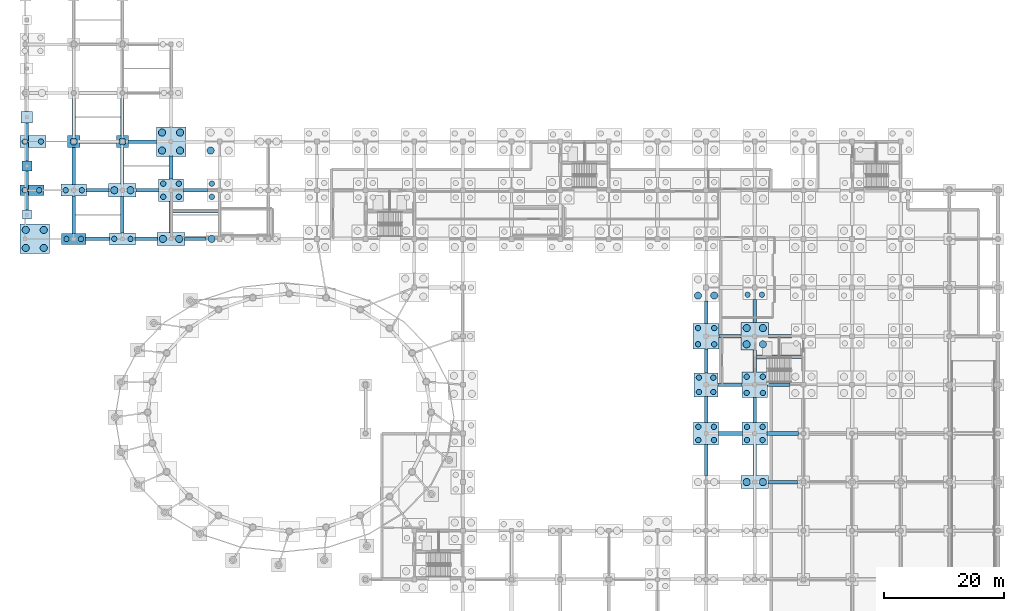
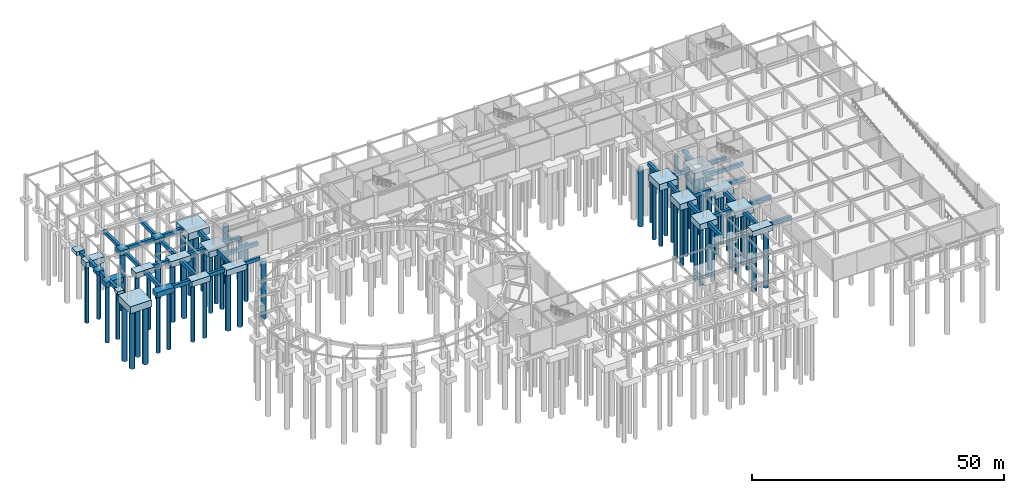
# One storey, part 3 of 26: 62 piles, 57 footings.
"""IFC4 building model written with IfcOpenShell, lengths in metres."""

from ifc_helpers import new_model, si_unit, direction, frame, origin, origin_2d, place, context, subcontext, project, spatial, rectangle, circle, extrude, material, material_profile, profile_set, type_object, element, save


model = new_model("IFC4")

# Units and contexts
model_context = context("Model", 3, precision=1e-05, world=origin(), true_north=direction((0.0, 1.0)))
body_context = subcontext(model_context, "Body", "Model", "MODEL_VIEW")
ifc_project = project(units=[si_unit("LENGTHUNIT", "METRE"), si_unit("AREAUNIT", "SQUARE_METRE"), si_unit("VOLUMEUNIT", "CUBIC_METRE"), si_unit("PLANEANGLEUNIT", "RADIAN"), si_unit("MASSUNIT", "GRAM", prefix="KILO")], contexts=[model_context])

# Site, building, storey
site_placement = place(None, origin())
site = spatial("IfcSite", under=ifc_project, at=site_placement, CompositionType="ELEMENT")
building_placement = place(site_placement, origin())
building = spatial("IfcBuilding", under=site, at=building_placement, Name="Parian Resonance Hall", CompositionType="ELEMENT")
storey_placement = place(building_placement, frame((0.0, 0.0, -5.39990234375)))
storey = spatial("IfcBuildingStorey", under=building, at=storey_placement, Name="B1", CompositionType="ELEMENT", Elevation=-5.39990234375)

# Footings
ifc_material_1 = material(Name="Concrete C35/45", Category="concrete")
ifc_material_profile_1 = material_profile(ifc_material_1, rectangle(XDim=0.60009765625, YDim=0.89990234375, at=origin_2d()), Name="RC-GB-600x900")
ifc_profile_set_1 = profile_set([ifc_material_profile_1], Name="Concrete C35/45")
footing_type_1 = type_object("IfcFootingType", Name="GB-600x900", PredefinedType="FOOTING_BEAM", material=ifc_profile_set_1)
footing_1_placement = place(storey_placement, frame((0.300048828125, 77.659912109375, -0.85009765625), z_axis=(0.0, 1.0, 0.0), x_axis=(-1.0, 0.0, 0.0)))
element("IfcFooting", 1, at=footing_1_placement, inside=storey, type_object=footing_type_1, Name="Foundation tie beam B1-001", PredefinedType="FOOTING_BEAM", context=body_context, shape_type="SweptSolid", body=[
    extrude(rectangle(XDim=0.60009765625, YDim=0.89990234375, at=origin_2d()), origin(), (0.0, 0.0, 1.0), 6.580078125),
])
footing_2_placement = place(storey_placement, frame((0.300048828125, 85.860107421875, -0.85009765625), z_axis=(0.0, 1.0, 0.0), x_axis=(-1.0, 0.0, 0.0)))
element("IfcFooting", 2, at=footing_2_placement, inside=storey, type_object=footing_type_1, Name="Foundation tie beam B1-002", PredefinedType="FOOTING_BEAM", context=body_context, shape_type="SweptSolid", body=[
    extrude(rectangle(XDim=0.60009765625, YDim=0.89990234375, at=origin_2d()), origin(), (0.0, 0.0, 1.0), 6.3798828125),
])
footing_3_placement = place(storey_placement, frame((10.06005859375, 72.89990234375, -0.85009765625), z_axis=(1.0, 0.0, 0.0), x_axis=(0.0, 1.0, 0.0)))
element("IfcFooting", 3, at=footing_3_placement, inside=storey, type_object=footing_type_1, Name="Foundation tie beam B1-005", PredefinedType="FOOTING_BEAM", context=body_context, shape_type="SweptSolid", body=[
    extrude(rectangle(XDim=0.60009765625, YDim=0.89990234375, at=origin_2d()), origin(), (0.0, 0.0, 1.0), 4.030029296875),
])
footing_4_placement = place(storey_placement, frame((8.10009765625, 73.760009765625, -0.85009765625), z_axis=(0.0, 1.0, 0.0), x_axis=(-1.0, 0.0, 0.0)))
element("IfcFooting", 4, at=footing_4_placement, inside=storey, type_object=footing_type_1, Name="Foundation tie beam B1-006", PredefinedType="FOOTING_BEAM", context=body_context, shape_type="SweptSolid", body=[
    extrude(rectangle(XDim=0.60009765625, YDim=0.89990234375, at=origin_2d()), origin(), (0.0, 0.0, 1.0), 6.280029296875),
])
footing_5_placement = place(storey_placement, frame((10.2099609375, 81.0, -0.85009765625), z_axis=(1.0, 0.0, 0.0), x_axis=(0.0, 1.0, 0.0)))
element("IfcFooting", 5, at=footing_5_placement, inside=storey, type_object=footing_type_1, Name="Foundation tie beam B1-007", PredefinedType="FOOTING_BEAM", context=body_context, shape_type="SweptSolid", body=[
    extrude(rectangle(XDim=0.60009765625, YDim=0.89990234375, at=origin_2d()), origin(), (0.0, 0.0, 1.0), 3.72998046875),
])
for number, where, z_axis, x_axis, name in (
    (6, (8.10009765625, 81.9599609375, -0.85009765625), (0.0, 1.0, 0.0), (-1.0, 0.0, 0.0), "Foundation tie beam B1-008"),
    (7, (9.06005859375, 89.10009765625, -0.85009765625), (1.0, 0.0, 0.0), (0.0, 1.0, 0.0), "Foundation tie beam B1-009"),
):
    element("IfcFooting", number, at=place(storey_placement, frame(where, z_axis=z_axis, x_axis=x_axis)), inside=storey, type_object=footing_type_1, Name=name, PredefinedType="FOOTING_BEAM", context=body_context, shape_type="SweptSolid", body=[
        extrude(rectangle(XDim=0.60009765625, YDim=0.89990234375, at=origin_2d()), origin(), (0.0, 0.0, 1.0), 6.179931640625),
    ])
footing_6_placement = place(storey_placement, frame((8.10009765625, 90.06005859375, -0.85009765625), z_axis=(0.0, 1.0, 0.0), x_axis=(-1.0, 0.0, 0.0)))
element("IfcFooting", 8, at=footing_6_placement, inside=storey, type_object=footing_type_1, Name="Foundation tie beam B1-010", PredefinedType="FOOTING_BEAM", context=body_context, shape_type="SweptSolid", body=[
    extrude(rectangle(XDim=0.60009765625, YDim=0.89990234375, at=origin_2d()), origin(), (0.0, 0.0, 1.0), 6.280029296875),
])
footing_7_placement = place(storey_placement, frame((18.31005859375, 72.89990234375, -0.85009765625), z_axis=(1.0, 0.0, 0.0), x_axis=(0.0, 1.0, 0.0)))
element("IfcFooting", 9, at=footing_7_placement, inside=storey, type_object=footing_type_1, Name="Foundation tie beam B1-016", PredefinedType="FOOTING_BEAM", context=body_context, shape_type="SweptSolid", body=[
    extrude(rectangle(XDim=0.60009765625, YDim=0.89990234375, at=origin_2d()), origin(), (0.0, 0.0, 1.0), 3.72998046875),
])
footing_8_placement = place(storey_placement, frame((16.199951171875, 73.860107421875, -0.85009765625), z_axis=(0.0, 1.0, 0.0), x_axis=(-1.0, 0.0, 0.0)))
element("IfcFooting", 10, at=footing_8_placement, inside=storey, type_object=footing_type_1, Name="Foundation tie beam B1-017", PredefinedType="FOOTING_BEAM", context=body_context, shape_type="SweptSolid", body=[
    extrude(rectangle(XDim=0.60009765625, YDim=0.89990234375, at=origin_2d()), origin(), (0.0, 0.0, 1.0), 6.079833984375),
])
footing_9_placement = place(storey_placement, frame((18.4599609375, 81.0, -0.85009765625), z_axis=(1.0, 0.0, 0.0), x_axis=(0.0, 1.0, 0.0)))
element("IfcFooting", 11, at=footing_9_placement, inside=storey, type_object=footing_type_1, Name="Foundation tie beam B1-018", PredefinedType="FOOTING_BEAM", context=body_context, shape_type="SweptSolid", body=[
    extrude(rectangle(XDim=0.60009765625, YDim=0.89990234375, at=origin_2d()), origin(), (0.0, 0.0, 1.0), 3.780029296875),
])
footing_10_placement = place(storey_placement, frame((16.199951171875, 82.06005859375, -0.85009765625), z_axis=(0.0, 1.0, 0.0), x_axis=(-1.0, 0.0, 0.0)))
element("IfcFooting", 12, at=footing_10_placement, inside=storey, type_object=footing_type_1, Name="Foundation tie beam B1-019", PredefinedType="FOOTING_BEAM", context=body_context, shape_type="SweptSolid", body=[
    extrude(rectangle(XDim=0.60009765625, YDim=0.89990234375, at=origin_2d()), origin(), (0.0, 0.0, 1.0), 6.079833984375),
])
footing_11_placement = place(storey_placement, frame((17.159912109375, 89.10009765625, -0.85009765625), z_axis=(1.0, 0.0, 0.0), x_axis=(0.0, 1.0, 0.0)))
element("IfcFooting", 13, at=footing_11_placement, inside=storey, type_object=footing_type_1, Name="Foundation tie beam B1-020", PredefinedType="FOOTING_BEAM", context=body_context, shape_type="SweptSolid", body=[
    extrude(rectangle(XDim=0.60009765625, YDim=0.89990234375, at=origin_2d()), origin(), (0.0, 0.0, 1.0), 4.72998046875),
])
footing_12_placement = place(storey_placement, frame((16.199951171875, 90.06005859375, -0.85009765625), z_axis=(0.0, 1.0, 0.0), x_axis=(-1.0, 0.0, 0.0)))
element("IfcFooting", 14, at=footing_12_placement, inside=storey, type_object=footing_type_1, Name="Foundation tie beam B1-021", PredefinedType="FOOTING_BEAM", context=body_context, shape_type="SweptSolid", body=[
    extrude(rectangle(XDim=0.60009765625, YDim=0.89990234375, at=origin_2d()), origin(), (0.0, 0.0, 1.0), 6.280029296875),
])
footing_13_placement = place(storey_placement, frame((26.56005859375, 72.89990234375, -0.85009765625), z_axis=(1.0, 0.0, 0.0), x_axis=(0.0, 1.0, 0.0)))
element("IfcFooting", 15, at=footing_13_placement, inside=storey, type_object=footing_type_1, Name="Foundation tie beam B1-026", PredefinedType="FOOTING_BEAM", context=body_context, shape_type="SweptSolid", body=[
    extrude(rectangle(XDim=0.60009765625, YDim=0.89990234375, at=origin_2d()), origin(), (0.0, 0.0, 1.0), 3.579833984375),
])
footing_14_placement = place(storey_placement, frame((24.300048828125, 73.9599609375, -0.85009765625), z_axis=(0.0, 1.0, 0.0), x_axis=(-1.0, 0.0, 0.0)))
element("IfcFooting", 16, at=footing_14_placement, inside=storey, type_object=footing_type_1, Name="Foundation tie beam B1-027", PredefinedType="FOOTING_BEAM", context=body_context, shape_type="SweptSolid", body=[
    extrude(rectangle(XDim=0.60009765625, YDim=0.89990234375, at=origin_2d()), origin(), (0.0, 0.0, 1.0), 5.179931640625),
])
footing_15_placement = place(storey_placement, frame((26.360107421875, 81.0, -0.85009765625), z_axis=(1.0, 0.0, 0.0), x_axis=(0.0, 1.0, 0.0)))
element("IfcFooting", 17, at=footing_15_placement, inside=storey, type_object=footing_type_1, Name="Foundation tie beam B1-028", PredefinedType="FOOTING_BEAM", context=body_context, shape_type="SweptSolid", body=[
    extrude(rectangle(XDim=0.60009765625, YDim=0.89990234375, at=origin_2d()), origin(), (0.0, 0.0, 1.0), 3.97998046875),
])
footing_16_placement = place(storey_placement, frame((24.300048828125, 82.860107421875, -0.85009765625), z_axis=(0.0, 1.0, 0.0), x_axis=(-1.0, 0.0, 0.0)))
element("IfcFooting", 18, at=footing_16_placement, inside=storey, type_object=footing_type_1, Name="Foundation tie beam B1-029", PredefinedType="FOOTING_BEAM", context=body_context, shape_type="SweptSolid", body=[
    extrude(rectangle(XDim=0.60009765625, YDim=0.89990234375, at=origin_2d()), origin(), (0.0, 0.0, 1.0), 3.829833984375),
])
footing_17_placement = place(storey_placement, frame((113.39990234375, 33.4599609375, -0.85009765625), z_axis=(0.0, 1.0, 0.0), x_axis=(-1.0, 0.0, 0.0)))
element("IfcFooting", 19, at=footing_17_placement, inside=storey, type_object=footing_type_1, Name="Foundation tie beam B1-131", PredefinedType="FOOTING_BEAM", context=body_context, shape_type="SweptSolid", body=[
    extrude(rectangle(XDim=0.60009765625, YDim=0.89990234375, at=origin_2d()), origin(), (0.0, 0.0, 1.0), 5.179931640625),
])
footing_18_placement = place(storey_placement, frame((115.4599609375, 40.5, -0.85009765625), z_axis=(1.0, 0.0, 0.0), x_axis=(0.0, 1.0, 0.0)))
element("IfcFooting", 20, at=footing_18_placement, inside=storey, type_object=footing_type_1, Name="Foundation tie beam B1-132", PredefinedType="FOOTING_BEAM", context=body_context, shape_type="SweptSolid", body=[
    extrude(rectangle(XDim=0.60009765625, YDim=0.89990234375, at=origin_2d()), origin(), (0.0, 0.0, 1.0), 3.97998046875),
])
footing_19_placement = place(storey_placement, frame((113.39990234375, 42.360107421875, -0.85009765625), z_axis=(0.0, 1.0, 0.0), x_axis=(-1.0, 0.0, 0.0)))
element("IfcFooting", 21, at=footing_19_placement, inside=storey, type_object=footing_type_1, Name="Foundation tie beam B1-133", PredefinedType="FOOTING_BEAM", context=body_context, shape_type="SweptSolid", body=[
    extrude(rectangle(XDim=0.60009765625, YDim=0.89990234375, at=origin_2d()), origin(), (0.0, 0.0, 1.0), 4.27978515625),
])
footing_20_placement = place(storey_placement, frame((115.360107421875, 48.60009765625, -0.85009765625), z_axis=(1.0, 0.0, 0.0), x_axis=(0.0, 1.0, 0.0)))
element("IfcFooting", 22, at=footing_20_placement, inside=storey, type_object=footing_type_1, Name="Foundation tie beam B1-134", PredefinedType="FOOTING_BEAM", context=body_context, shape_type="SweptSolid", body=[
    extrude(rectangle(XDim=0.60009765625, YDim=0.89990234375, at=origin_2d()), origin(), (0.0, 0.0, 1.0), 4.02978515625),
])
footing_21_placement = place(storey_placement, frame((113.39990234375, 50.56005859375, -0.85009765625), z_axis=(0.0, 1.0, 0.0), x_axis=(-1.0, 0.0, 0.0)))
element("IfcFooting", 23, at=footing_21_placement, inside=storey, type_object=footing_type_1, Name="Foundation tie beam B1-135", PredefinedType="FOOTING_BEAM", context=body_context, shape_type="SweptSolid", body=[
    extrude(rectangle(XDim=0.60009765625, YDim=0.89990234375, at=origin_2d()), origin(), (0.0, 0.0, 1.0), 4.030029296875),
])
for number, where, z_axis, x_axis, name in (
    (24, (115.510009765625, 56.699951171875, -0.85009765625), (1.0, 0.0, 0.0), (0.0, 1.0, 0.0), "Foundation tie beam B1-136"),
    (25, (113.39990234375, 58.81005859375, -0.85009765625), (0.0, 1.0, 0.0), (-1.0, 0.0, 0.0), "Foundation tie beam B1-137"),
):
    element("IfcFooting", number, at=place(storey_placement, frame(where, z_axis=z_axis, x_axis=x_axis)), inside=storey, type_object=footing_type_1, Name=name, PredefinedType="FOOTING_BEAM", context=body_context, shape_type="SweptSolid", body=[
        extrude(rectangle(XDim=0.60009765625, YDim=0.89990234375, at=origin_2d()), origin(), (0.0, 0.0, 1.0), 3.72998046875),
    ])
footing_22_placement = place(storey_placement, frame((123.760009765625, 32.39990234375, -0.85009765625), z_axis=(1.0, 0.0, 0.0), x_axis=(0.0, 1.0, 0.0)))
element("IfcFooting", 26, at=footing_22_placement, inside=storey, type_object=footing_type_1, Name="Foundation tie beam B1-149", PredefinedType="FOOTING_BEAM", context=body_context, shape_type="SweptSolid", body=[
    extrude(rectangle(XDim=0.60009765625, YDim=0.89990234375, at=origin_2d()), origin(), (0.0, 0.0, 1.0), 4.8798828125),
])
for number, where, z_axis, x_axis, name in (
    (27, (121.5, 33.4599609375, -0.85009765625), (0.0, 1.0, 0.0), (-1.0, 0.0, 0.0), "Foundation tie beam B1-150"),
    (28, (123.56005859375, 40.5, -0.85009765625), (1.0, 0.0, 0.0), (0.0, 1.0, 0.0), "Foundation tie beam B1-151"),
):
    element("IfcFooting", number, at=place(storey_placement, frame(where, z_axis=z_axis, x_axis=x_axis)), inside=storey, type_object=footing_type_1, Name=name, PredefinedType="FOOTING_BEAM", context=body_context, shape_type="SweptSolid", body=[
        extrude(rectangle(XDim=0.60009765625, YDim=0.89990234375, at=origin_2d()), origin(), (0.0, 0.0, 1.0), 5.179931640625),
    ])
footing_23_placement = place(storey_placement, frame((121.5, 42.360107421875, -0.85009765625), z_axis=(0.0, 1.0, 0.0), x_axis=(-1.0, 0.0, 0.0)))
element("IfcFooting", 29, at=footing_23_placement, inside=storey, type_object=footing_type_1, Name="Foundation tie beam B1-152", PredefinedType="FOOTING_BEAM", context=body_context, shape_type="SweptSolid", body=[
    extrude(rectangle(XDim=0.60009765625, YDim=0.89990234375, at=origin_2d()), origin(), (0.0, 0.0, 1.0), 4.1298828125),
])
for number, where, z_axis, x_axis, name in (
    (30, (123.610107421875, 48.60009765625, -0.85009765625), (1.0, 0.0, 0.0), (0.0, 1.0, 0.0), "Foundation tie beam B1-153"),
    (31, (121.5, 50.7099609375, -0.85009765625), (0.0, 1.0, 0.0), (-1.0, 0.0, 0.0), "Foundation tie beam B1-154"),
):
    element("IfcFooting", number, at=place(storey_placement, frame(where, z_axis=z_axis, x_axis=x_axis)), inside=storey, type_object=footing_type_1, Name=name, PredefinedType="FOOTING_BEAM", context=body_context, shape_type="SweptSolid", body=[
        extrude(rectangle(XDim=0.60009765625, YDim=0.89990234375, at=origin_2d()), origin(), (0.0, 0.0, 1.0), 3.72998046875),
    ])
footing_24_placement = place(storey_placement, frame((123.760009765625, 56.699951171875, -0.85009765625), z_axis=(1.0, 0.0, 0.0), x_axis=(0.0, 1.0, 0.0)))
element("IfcFooting", 32, at=footing_24_placement, inside=storey, type_object=footing_type_1, Name="Foundation tie beam B1-155", PredefinedType="FOOTING_BEAM", context=body_context, shape_type="SweptSolid", body=[
    extrude(rectangle(XDim=0.60009765625, YDim=0.89990234375, at=origin_2d()), origin(), (0.0, 0.0, 1.0), 3.8798828125),
])
footing_25_placement = place(storey_placement, frame((121.5, 58.9599609375, -0.85009765625), z_axis=(0.0, 1.0, 0.0), x_axis=(-1.0, 0.0, 0.0)))
element("IfcFooting", 33, at=footing_25_placement, inside=storey, type_object=footing_type_1, Name="Foundation tie beam B1-156", PredefinedType="FOOTING_BEAM", context=body_context, shape_type="SweptSolid", body=[
    extrude(rectangle(XDim=0.60009765625, YDim=0.89990234375, at=origin_2d()), origin(), (0.0, 0.0, 1.0), 3.880126953125),
])
footing_26_placement = place(storey_placement, frame((121.5, 53.25, -0.85009765625), z_axis=(1.0, 0.0, 0.0), x_axis=(0.0, 1.0, 0.0)))
element("IfcFooting", 34, at=footing_26_placement, inside=storey, type_object=footing_type_1, Name="Core K2 divider foundation beam", PredefinedType="FOOTING_BEAM", context=body_context, shape_type="SweptSolid", body=[
    extrude(rectangle(XDim=0.60009765625, YDim=0.89990234375, at=origin_2d()), origin(), (0.0, 0.0, 1.0), 8.10009765625),
])
footing_27_placement = place(storey_placement, frame((24.300048828125, 77.510009765625, -0.85009765625), z_axis=(1.0, 0.0, 0.0), x_axis=(0.0, 1.0, 0.0)))
element("IfcFooting", 35, at=footing_27_placement, inside=storey, type_object=footing_type_1, Name="Core K4 divider foundation beam", PredefinedType="FOOTING_BEAM", context=body_context, shape_type="SweptSolid", body=[
    extrude(rectangle(XDim=0.60009765625, YDim=0.89990234375, at=origin_2d()), origin(), (0.0, 0.0, 1.0), 8.099853515625),
])
ifc_material_2 = material(Name="Concrete C35/45", Category="concrete")
footing_type_2 = type_object("IfcFootingType", Name="PAD-1500", PredefinedType="PAD_FOOTING", material=ifc_material_2)
footing_28_placement = place(storey_placement, frame((0.300048828125, 76.949951171875, -1.150146484375), z_axis=(0.0, 0.0, 1.0), x_axis=(1.0, 0.0, 0.0)))
element("IfcFooting", 36, at=footing_28_placement, inside=storey, type_object=footing_type_2, Name="Arcade pad footing PIL-W-09", PredefinedType="PAD_FOOTING", context=body_context, shape_type="SweptSolid", body=[
    extrude(rectangle(XDim=1.5, YDim=1.5, at=origin_2d()), origin(), (0.0, 0.0, 1.0), 0.75),
])
ifc_material_3 = material(Name="Concrete C35/45", Category="concrete")
footing_type_3 = type_object("IfcFootingType", Name="PAD-1700", PredefinedType="PAD_FOOTING", material=ifc_material_3)
footing_29_placement = place(storey_placement, frame((0.300048828125, 85.050048828125, -1.250244140625), z_axis=(0.0, 0.0, 1.0), x_axis=(1.0, 0.0, 0.0)))
element("IfcFooting", 37, at=footing_29_placement, inside=storey, type_object=footing_type_3, Name="Arcade pad footing PIL-W-10", PredefinedType="PAD_FOOTING", context=body_context, shape_type="SweptSolid", body=[
    extrude(rectangle(XDim=1.699951171875, YDim=1.699951171875, at=origin_2d()), origin(), (0.0, 0.0, 1.0), 0.85009765625),
])
ifc_material_4 = material(Name="Concrete C35/45", Category="concrete")
footing_type_4 = type_object("IfcFootingType", Name="PAD-1900", PredefinedType="PAD_FOOTING", material=ifc_material_4)
footing_30_placement = place(storey_placement, frame((0.300048828125, 93.14990234375, -1.300048828125), z_axis=(0.0, 0.0, 1.0), x_axis=(1.0, 0.0, 0.0)))
element("IfcFooting", 38, at=footing_30_placement, inside=storey, type_object=footing_type_4, Name="Arcade pad footing PIL-W-11", PredefinedType="PAD_FOOTING", context=body_context, shape_type="SweptSolid", body=[
    extrude(rectangle(XDim=1.89990234375, YDim=1.89990234375, at=origin_2d()), origin(), (0.0, 0.0, 1.0), 0.89990234375),
])
ifc_material_5 = material(Name="Concrete C35/45", Category="concrete")
footing_type_5 = type_object("IfcFootingType", Name="PC-1P-2000", PredefinedType="PILE_CAP", material=ifc_material_5)
for number, where, z_axis, x_axis, name in (
    (39, (8.10009765625, 89.10009765625, -1.60009765625), (0.0, 0.0, 1.0), (1.0, 0.0, 0.0), "Pile cap G02-12"),
    (40, (16.199951171875, 89.10009765625, -1.60009765625), (0.0, 0.0, 1.0), (1.0, 0.0, 0.0), "Pile cap G03-12"),
):
    element("IfcFooting", number, at=place(storey_placement, frame(where, z_axis=z_axis, x_axis=x_axis)), inside=storey, type_object=footing_type_5, Name=name, PredefinedType="PILE_CAP", context=body_context, shape_type="SweptSolid", body=[
        extrude(rectangle(XDim=2.0, YDim=2.0, at=origin_2d()), origin(), (0.0, 0.0, 1.0), 1.199951171875),
    ])
ifc_material_6 = material(Name="Concrete C35/45", Category="concrete")
footing_type_6 = type_object("IfcFootingType", Name="PC-2P-4000x1800", PredefinedType="PILE_CAP", material=ifc_material_6)
for number, where, z_axis, x_axis, name in (
    (41, (1.14990234375, 81.0, -1.650146484375), (0.0, 0.0, 1.0), (1.0, 0.0, 0.0), "Pile cap G01-11"),
    (42, (8.10009765625, 72.89990234375, -1.650146484375), (0.0, 0.0, 1.0), (1.0, 0.0, 0.0), "Pile cap G02-10"),
):
    element("IfcFooting", number, at=place(storey_placement, frame(where, z_axis=z_axis, x_axis=x_axis)), inside=storey, type_object=footing_type_6, Name=name, PredefinedType="PILE_CAP", context=body_context, shape_type="SweptSolid", body=[
        extrude(rectangle(XDim=4.0, YDim=1.800048828125, at=origin_2d()), origin(), (0.0, 0.0, 1.0), 1.25),
    ])
ifc_material_7 = material(Name="Concrete C35/45", Category="concrete")
footing_type_7 = type_object("IfcFootingType", Name="PC-2P-4300x2000", PredefinedType="PILE_CAP", material=ifc_material_7)
for number, where, z_axis, x_axis, name in (
    (43, (1.300048828125, 89.10009765625, -1.750244140625), (0.0, 0.0, 1.0), (1.0, 0.0, 0.0), "Pile cap G01-12"),
    (44, (8.10009765625, 81.0, -1.750244140625), (0.0, 0.0, 1.0), (1.0, 0.0, 0.0), "Pile cap G02-11"),
    (45, (16.199951171875, 72.89990234375, -1.750244140625), (0.0, 0.0, 1.0), (1.0, 0.0, 0.0), "Pile cap G03-10"),
):
    element("IfcFooting", number, at=place(storey_placement, frame(where, z_axis=z_axis, x_axis=x_axis)), inside=storey, type_object=footing_type_7, Name=name, PredefinedType="PILE_CAP", context=body_context, shape_type="SweptSolid", body=[
        extrude(rectangle(XDim=4.300048828125, YDim=2.0, at=origin_2d()), origin(), (0.0, 0.0, 1.0), 1.35009765625),
    ])
ifc_material_8 = material(Name="Concrete C35/45", Category="concrete")
footing_type_8 = type_object("IfcFootingType", Name="PC-2P-4600x2200", PredefinedType="PILE_CAP", material=ifc_material_8)
for number, where, z_axis, x_axis, name in (
    (46, (16.199951171875, 81.0, -1.800048828125), (0.0, 0.0, 1.0), (1.0, 0.0, 0.0), "Pile cap G03-11"),
    (47, (24.300048828125, 72.89990234375, -1.800048828125), (0.0, 0.0, 1.0), (1.0, 0.0, 0.0), "Pile cap G04-10"),
    (48, (121.5, 32.39990234375, -1.800048828125), (0.0, 0.0, 1.0), (1.0, 0.0, 0.0), "Pile cap G16-05"),
):
    element("IfcFooting", number, at=place(storey_placement, frame(where, z_axis=z_axis, x_axis=x_axis)), inside=storey, type_object=footing_type_8, Name=name, PredefinedType="PILE_CAP", context=body_context, shape_type="SweptSolid", body=[
        extrude(rectangle(XDim=4.60009765625, YDim=2.199951171875, at=origin_2d()), origin(), (0.0, 0.0, 1.0), 1.39990234375),
    ])
ifc_material_9 = material(Name="Concrete C35/45", Category="concrete")
footing_type_9 = type_object("IfcFootingType", Name="PC-3P-4200x3800", PredefinedType="PILE_CAP", material=ifc_material_9)
for number, where, z_axis, x_axis, name in (
    (49, (24.300048828125, 81.0, -1.85009765625), (0.0, 0.0, 1.0), (1.0, 0.0, 0.0), "Pile cap G04-11"),
    (50, (113.39990234375, 40.5, -1.85009765625), (0.0, 0.0, 1.0), (1.0, 0.0, 0.0), "Pile cap G15-06"),
    (51, (121.5, 40.5, -1.85009765625), (0.0, 0.0, 1.0), (1.0, 0.0, 0.0), "Pile cap G16-06"),
):
    element("IfcFooting", number, at=place(storey_placement, frame(where, z_axis=z_axis, x_axis=x_axis)), inside=storey, type_object=footing_type_9, Name=name, PredefinedType="PILE_CAP", context=body_context, shape_type="SweptSolid", body=[
        extrude(rectangle(XDim=4.199951171875, YDim=3.800048828125, at=origin_2d()), origin(), (0.0, 0.0, 1.0), 1.449951171875),
    ])
ifc_material_10 = material(Name="Concrete C35/45", Category="concrete")
footing_type_10 = type_object("IfcFootingType", Name="PC-4P-4000x4000", PredefinedType="PILE_CAP", material=ifc_material_10)
footing_31_placement = place(storey_placement, frame((113.39990234375, 48.60009765625, -1.900146484375), z_axis=(0.0, 0.0, 1.0), x_axis=(1.0, 0.0, 0.0)))
element("IfcFooting", 52, at=footing_31_placement, inside=storey, type_object=footing_type_10, Name="Pile cap G15-07", PredefinedType="PILE_CAP", context=body_context, shape_type="SweptSolid", body=[
    extrude(rectangle(XDim=4.0, YDim=4.0, at=origin_2d()), origin(), (0.0, 0.0, 1.0), 1.5),
])
ifc_material_11 = material(Name="Concrete C35/45", Category="concrete")
footing_type_11 = type_object("IfcFootingType", Name="PC-4P-4300x4300", PredefinedType="PILE_CAP", material=ifc_material_11)
for number, where, z_axis, x_axis, name in (
    (53, (113.39990234375, 56.699951171875, -1.9501953125), (0.0, 0.0, 1.0), (1.0, 0.0, 0.0), "Pile cap G15-08"),
    (54, (121.5, 48.60009765625, -1.9501953125), (0.0, 0.0, 1.0), (1.0, 0.0, 0.0), "Pile cap G16-07"),
):
    element("IfcFooting", number, at=place(storey_placement, frame(where, z_axis=z_axis, x_axis=x_axis)), inside=storey, type_object=footing_type_11, Name=name, PredefinedType="PILE_CAP", context=body_context, shape_type="SweptSolid", body=[
        extrude(rectangle(XDim=4.300048828125, YDim=4.300048828125, at=origin_2d()), origin(), (0.0, 0.0, 1.0), 1.550048828125),
    ])
ifc_material_12 = material(Name="Concrete C35/45", Category="concrete")
footing_type_12 = type_object("IfcFootingType", Name="PC-4P-4600x4600", PredefinedType="PILE_CAP", material=ifc_material_12)
footing_32_placement = place(storey_placement, frame((121.5, 56.699951171875, -2.000244140625), z_axis=(0.0, 0.0, 1.0), x_axis=(1.0, 0.0, 0.0)))
element("IfcFooting", 55, at=footing_32_placement, inside=storey, type_object=footing_type_12, Name="Pile cap G16-08", PredefinedType="PILE_CAP", context=body_context, shape_type="SweptSolid", body=[
    extrude(rectangle(XDim=4.60009765625, YDim=4.60009765625, at=origin_2d()), origin(), (0.0, 0.0, 1.0), 1.60009765625),
])
ifc_material_13 = material(Name="Concrete C35/45", Category="concrete")
footing_type_13 = type_object("IfcFootingType", Name="PC-4P-4900x4900", PredefinedType="PILE_CAP", material=ifc_material_13)
for number, where, z_axis, x_axis, name in (
    (56, (1.60009765625, 72.89990234375, -2.10009765625), (0.0, 0.0, 1.0), (1.0, 0.0, 0.0), "Pile cap G01-10"),
    (57, (24.300048828125, 89.10009765625, -2.10009765625), (0.0, 0.0, 1.0), (1.0, 0.0, 0.0), "Pile cap G04-12"),
):
    element("IfcFooting", number, at=place(storey_placement, frame(where, z_axis=z_axis, x_axis=x_axis)), inside=storey, type_object=footing_type_13, Name=name, PredefinedType="PILE_CAP", context=body_context, shape_type="SweptSolid", body=[
        extrude(rectangle(XDim=4.89990234375, YDim=4.89990234375, at=origin_2d()), origin(), (0.0, 0.0, 1.0), 1.699951171875),
    ])

# Piles
ifc_material_14 = material(Name="Concrete C35/45", Category="concrete")
ifc_material_profile_2 = material_profile(ifc_material_14, circle(Radius=0.60009765625, at=origin_2d()), Name="PILE-D1200")
ifc_profile_set_2 = profile_set([ifc_material_profile_2], Name="Concrete C35/45")
pile_type_1 = type_object("IfcPileType", Name="PILE-1200", PredefinedType="BORED", material=ifc_profile_set_2)
for number, where, z_axis, x_axis, name in (
    (58, (0.10009765625, 71.39990234375, -2.0), (0.0, 0.0, -1.0), (1.0, 0.0, 0.0), "Bored pile G01-10-1"),
    (59, (0.10009765625, 74.39990234375, -2.0), (0.0, 0.0, -1.0), (1.0, 0.0, 0.0), "Bored pile G01-10-2"),
    (60, (3.10009765625, 71.39990234375, -2.0), (0.0, 0.0, -1.0), (1.0, 0.0, 0.0), "Bored pile G01-10-3"),
    (61, (3.10009765625, 74.39990234375, -2.0), (0.0, 0.0, -1.0), (1.0, 0.0, 0.0), "Bored pile G01-10-4"),
    (62, (8.10009765625, 89.10009765625, -1.5), (0.0, 0.0, -1.0), (1.0, 0.0, 0.0), "Bored pile G02-12-1"),
    (63, (14.85009765625, 81.0, -1.7001953125), (0.0, 0.0, -1.0), (1.0, 0.0, 0.0), "Bored pile G03-11-1"),
    (64, (17.550048828125, 81.0, -1.7001953125), (0.0, 0.0, -1.0), (1.0, 0.0, 0.0), "Bored pile G03-11-2"),
    (65, (16.199951171875, 89.10009765625, -1.5), (0.0, 0.0, -1.0), (1.0, 0.0, 0.0), "Bored pile G03-12-1"),
    (66, (22.949951171875, 72.89990234375, -1.7001953125), (0.0, 0.0, -1.0), (1.0, 0.0, 0.0), "Bored pile G04-10-1"),
    (67, (25.64990234375, 72.89990234375, -1.7001953125), (0.0, 0.0, -1.0), (1.0, 0.0, 0.0), "Bored pile G04-10-2"),
    (68, (22.800048828125, 87.60009765625, -2.0), (0.0, 0.0, -1.0), (1.0, 0.0, 0.0), "Bored pile G04-12-1"),
    (69, (22.800048828125, 90.60009765625, -2.0), (0.0, 0.0, -1.0), (1.0, 0.0, 0.0), "Bored pile G04-12-2"),
    (70, (25.800048828125, 87.60009765625, -2.0), (0.0, 0.0, -1.0), (1.0, 0.0, 0.0), "Bored pile G04-12-3"),
    (71, (25.800048828125, 90.60009765625, -2.0), (0.0, 0.0, -1.0), (1.0, 0.0, 0.0), "Bored pile G04-12-4"),
    (72, (31.050048828125, 72.89990234375, -1.7001953125), (0.0, 0.0, -1.0), (1.0, 0.0, 0.0), "Bored pile G05-10-1"),
    (73, (30.89990234375, 87.60009765625, -2.0), (0.0, 0.0, -1.0), (1.0, 0.0, 0.0), "Bored pile G05-12-1"),
    (74, (112.050048828125, 63.449951171875, -1.900146484375), (0.0, 0.0, -1.0), (1.0, 0.0, 0.0), "Bored pile G15-09-1"),
    (75, (114.75, 63.449951171875, -1.900146484375), (0.0, 0.0, -1.0), (1.0, 0.0, 0.0), "Bored pile G15-09-3"),
    (76, (120.14990234375, 32.39990234375, -1.7001953125), (0.0, 0.0, -1.0), (1.0, 0.0, 0.0), "Bored pile G16-05-1"),
    (77, (122.85009765625, 32.39990234375, -1.7001953125), (0.0, 0.0, -1.0), (1.0, 0.0, 0.0), "Bored pile G16-05-2"),
    (78, (120.14990234375, 55.35009765625, -1.900146484375), (0.0, 0.0, -1.0), (1.0, 0.0, 0.0), "Bored pile G16-08-1"),
    (79, (120.14990234375, 58.050048828125, -1.900146484375), (0.0, 0.0, -1.0), (1.0, 0.0, 0.0), "Bored pile G16-08-2"),
    (80, (122.85009765625, 55.35009765625, -1.900146484375), (0.0, 0.0, -1.0), (1.0, 0.0, 0.0), "Bored pile G16-08-3"),
    (81, (122.85009765625, 58.050048828125, -1.900146484375), (0.0, 0.0, -1.0), (1.0, 0.0, 0.0), "Bored pile G16-08-4"),
):
    element("IfcPile", number, at=place(storey_placement, frame(where, z_axis=z_axis, x_axis=x_axis)), inside=storey, type_object=pile_type_1, Name=name, PredefinedType="BORED", context=body_context, shape_type="SweptSolid", body=[
        extrude(circle(Radius=0.60009765625, at=origin_2d()), origin(), (0.0, 0.0, 1.0), 14.0),
    ])
ifc_material_15 = material(Name="Concrete C35/45", Category="concrete")
ifc_material_profile_3 = material_profile(ifc_material_15, circle(Radius=0.449951171875, at=origin_2d()), Name="PILE-D900")
ifc_profile_set_3 = profile_set([ifc_material_profile_3], Name="Concrete C35/45")
pile_type_2 = type_object("IfcPileType", Name="PILE-900", PredefinedType="BORED", material=ifc_profile_set_3)
for number, where, z_axis, x_axis, name in (
    (82, (-0.050048828125, 81.0, -1.550048828125), (0.0, 0.0, -1.0), (1.0, 0.0, 0.0), "Bored pile G01-11-1"),
    (83, (2.35009765625, 81.0, -1.550048828125), (0.0, 0.0, -1.0), (1.0, 0.0, 0.0), "Bored pile G01-11-2"),
    (84, (-0.050048828125, 89.10009765625, -1.650146484375), (0.0, 0.0, -1.0), (1.0, 0.0, 0.0), "Bored pile G01-12-1"),
    (85, (2.64990234375, 89.10009765625, -1.650146484375), (0.0, 0.0, -1.0), (1.0, 0.0, 0.0), "Bored pile G01-12-2"),
    (86, (6.89990234375, 72.89990234375, -1.550048828125), (0.0, 0.0, -1.0), (1.0, 0.0, 0.0), "Bored pile G02-10-1"),
    (87, (9.300048828125, 72.89990234375, -1.550048828125), (0.0, 0.0, -1.0), (1.0, 0.0, 0.0), "Bored pile G02-10-2"),
    (88, (6.75, 81.0, -1.650146484375), (0.0, 0.0, -1.0), (1.0, 0.0, 0.0), "Bored pile G02-11-1"),
    (89, (9.449951171875, 81.0, -1.650146484375), (0.0, 0.0, -1.0), (1.0, 0.0, 0.0), "Bored pile G02-11-2"),
    (90, (14.85009765625, 72.89990234375, -1.650146484375), (0.0, 0.0, -1.0), (1.0, 0.0, 0.0), "Bored pile G03-10-1"),
    (91, (17.550048828125, 72.89990234375, -1.650146484375), (0.0, 0.0, -1.0), (1.0, 0.0, 0.0), "Bored pile G03-10-2"),
    (92, (23.0, 79.89990234375, -1.75), (0.0, 0.0, -1.0), (1.0, 0.0, 0.0), "Bored pile G04-11-1"),
    (93, (23.0, 82.10009765625, -1.75), (0.0, 0.0, -1.0), (1.0, 0.0, 0.0), "Bored pile G04-11-2"),
    (94, (25.60009765625, 79.89990234375, -1.75), (0.0, 0.0, -1.0), (1.0, 0.0, 0.0), "Bored pile G04-11-3"),
    (95, (25.60009765625, 82.10009765625, -1.75), (0.0, 0.0, -1.0), (1.0, 0.0, 0.0), "Bored pile G04-11-4"),
    (96, (31.10009765625, 79.89990234375, -1.75), (0.0, 0.0, -1.0), (1.0, 0.0, 0.0), "Bored pile G05-11-1"),
    (97, (31.10009765625, 82.10009765625, -1.75), (0.0, 0.0, -1.0), (1.0, 0.0, 0.0), "Bored pile G05-11-2"),
    (98, (112.10009765625, 39.39990234375, -1.75), (0.0, 0.0, -1.0), (1.0, 0.0, 0.0), "Bored pile G15-06-1"),
    (99, (112.10009765625, 41.60009765625, -1.75), (0.0, 0.0, -1.0), (1.0, 0.0, 0.0), "Bored pile G15-06-2"),
    (100, (114.699951171875, 39.39990234375, -1.75), (0.0, 0.0, -1.0), (1.0, 0.0, 0.0), "Bored pile G15-06-3"),
    (101, (114.699951171875, 41.60009765625, -1.75), (0.0, 0.0, -1.0), (1.0, 0.0, 0.0), "Bored pile G15-06-4"),
    (102, (112.199951171875, 47.39990234375, -1.800048828125), (0.0, 0.0, -1.0), (1.0, 0.0, 0.0), "Bored pile G15-07-1"),
    (103, (112.199951171875, 49.800048828125, -1.800048828125), (0.0, 0.0, -1.0), (1.0, 0.0, 0.0), "Bored pile G15-07-2"),
    (104, (114.60009765625, 47.39990234375, -1.800048828125), (0.0, 0.0, -1.0), (1.0, 0.0, 0.0), "Bored pile G15-07-3"),
    (105, (114.60009765625, 49.800048828125, -1.800048828125), (0.0, 0.0, -1.0), (1.0, 0.0, 0.0), "Bored pile G15-07-4"),
    (106, (112.050048828125, 55.35009765625, -1.85009765625), (0.0, 0.0, -1.0), (1.0, 0.0, 0.0), "Bored pile G15-08-1"),
    (107, (112.050048828125, 58.050048828125, -1.85009765625), (0.0, 0.0, -1.0), (1.0, 0.0, 0.0), "Bored pile G15-08-2"),
    (108, (114.75, 55.35009765625, -1.85009765625), (0.0, 0.0, -1.0), (1.0, 0.0, 0.0), "Bored pile G15-08-3"),
    (109, (114.75, 58.050048828125, -1.85009765625), (0.0, 0.0, -1.0), (1.0, 0.0, 0.0), "Bored pile G15-08-4"),
    (110, (120.199951171875, 39.39990234375, -1.75), (0.0, 0.0, -1.0), (1.0, 0.0, 0.0), "Bored pile G16-06-1"),
    (111, (120.199951171875, 41.60009765625, -1.75), (0.0, 0.0, -1.0), (1.0, 0.0, 0.0), "Bored pile G16-06-2"),
    (112, (122.800048828125, 39.39990234375, -1.75), (0.0, 0.0, -1.0), (1.0, 0.0, 0.0), "Bored pile G16-06-3"),
    (113, (122.800048828125, 41.60009765625, -1.75), (0.0, 0.0, -1.0), (1.0, 0.0, 0.0), "Bored pile G16-06-4"),
    (114, (120.14990234375, 47.25, -1.85009765625), (0.0, 0.0, -1.0), (1.0, 0.0, 0.0), "Bored pile G16-07-1"),
    (115, (120.14990234375, 49.949951171875, -1.85009765625), (0.0, 0.0, -1.0), (1.0, 0.0, 0.0), "Bored pile G16-07-2"),
    (116, (122.85009765625, 47.25, -1.85009765625), (0.0, 0.0, -1.0), (1.0, 0.0, 0.0), "Bored pile G16-07-3"),
    (117, (122.85009765625, 49.949951171875, -1.85009765625), (0.0, 0.0, -1.0), (1.0, 0.0, 0.0), "Bored pile G16-07-4"),
    (118, (120.300048828125, 63.60009765625, -1.800048828125), (0.0, 0.0, -1.0), (1.0, 0.0, 0.0), "Bored pile G16-09-1"),
    (119, (122.699951171875, 63.60009765625, -1.800048828125), (0.0, 0.0, -1.0), (1.0, 0.0, 0.0), "Bored pile G16-09-3"),
):
    element("IfcPile", number, at=place(storey_placement, frame(where, z_axis=z_axis, x_axis=x_axis)), inside=storey, type_object=pile_type_2, Name=name, PredefinedType="BORED", context=body_context, shape_type="SweptSolid", body=[
        extrude(circle(Radius=0.449951171875, at=origin_2d()), origin(), (0.0, 0.0, 1.0), 14.0),
    ])

save(model, "model.ifc")
